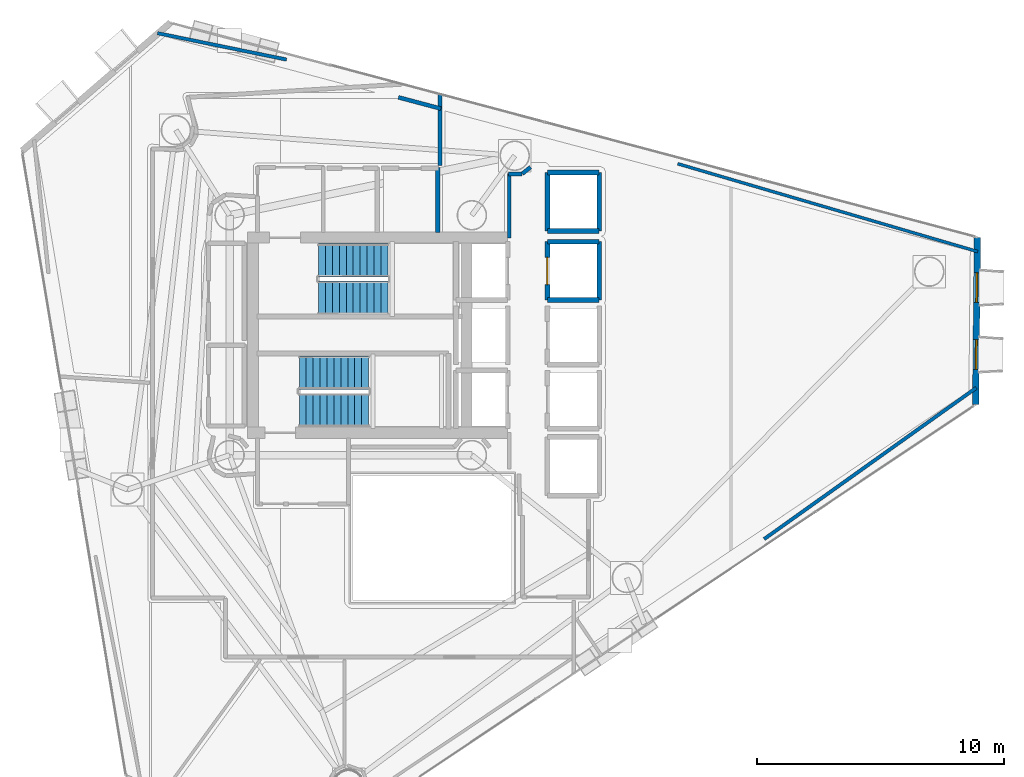
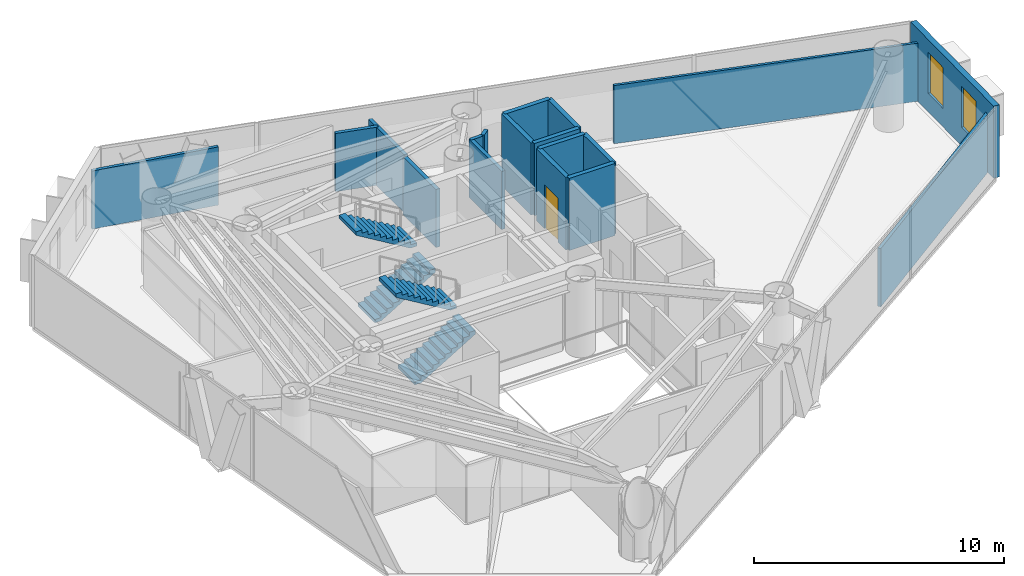
# One storey, part 18 of 21: 18 walls, 4 stair flights, 2 windows, 1 door, 3 openings, 2 elements without a shape of their own.
"""IFC4 building model written with IfcOpenShell, lengths in metres."""

import ifcopenshell
import ifcopenshell.guid

model = None  # the IFC model being written
_history = None  # IfcOwnerHistory: only IFC2X3 demands one
_inside = {}  # id of a spatial element -> (the spatial element, [elements in it])
_under = {}  # id of a project, library or spatial element -> (it, [spatial elements below it])
_declared = {}  # id of a project -> (the project, [libraries it declares])
_typed = {}  # id of a type object -> (the type object, [elements of that type])
_made_of = {}  # id of a material, layer set ... -> (it, [elements and type objects made of it])


def new_model(schema):
    """Start an empty IFC model of exactly this schema.

    Asked for "IFC4X3", IfcOpenShell would pick the latest addendum, in which some entities
    have other attributes; the version numbers below select the first issue.
    IFC2X3 requires an IfcOwnerHistory on every rooted entity: one is made here for all.
    """
    global model, _history
    if schema == "IFC4X3":
        model = ifcopenshell.file(schema_version=(4, 3, 0, 0))
    else:
        model = ifcopenshell.file(schema=schema)
    _inside.clear()
    _under.clear()
    _declared.clear()
    _typed.clear()
    _made_of.clear()
    _history = None
    if model.schema == "IFC2X3":
        org = make("IfcOrganization", Name="unknown")
        user = make(
            "IfcPersonAndOrganization",
            ThePerson=make("IfcPerson", FamilyName="unknown"),
            TheOrganization=org,
        )
        app = make(
            "IfcApplication",
            ApplicationDeveloper=org,
            Version="unknown",
            ApplicationFullName="unknown",
            ApplicationIdentifier="unknown",
        )
        _history = make(
            "IfcOwnerHistory",
            OwningUser=user,
            OwningApplication=app,
            ChangeAction="ADDED",
            CreationDate=0,
        )
    return model


def make(cls, **values):
    """One entity of the class cls with the attributes given. An attribute that is None is left unset."""
    return model.create_entity(
        cls, **{name: value for name, value in values.items() if value is not None}
    )


def rooted(cls, **values):
    """An entity with a GlobalId (a new one), such as an element, a storey or a relation."""
    return make(cls, GlobalId=ifcopenshell.guid.new(), OwnerHistory=_history, **values)


def si_unit(unit_type, name, prefix=None):
    """IfcSIUnit, for example si_unit("LENGTHUNIT", "METRE", prefix="MILLI")."""
    return make("IfcSIUnit", UnitType=unit_type, Prefix=prefix, Name=name)


def assignment(units):
    """IfcUnitAssignment: the units of a project."""
    return None if units is None else make("IfcUnitAssignment", Units=units)


def point(xyz):
    """IfcCartesianPoint."""
    return None if xyz is None else make("IfcCartesianPoint", Coordinates=xyz)


def direction(xyz):
    """IfcDirection."""
    return None if xyz is None else make("IfcDirection", DirectionRatios=xyz)


def frame(location, z_axis=None, x_axis=None):
    """IfcAxis2Placement3D, a coordinate frame: its origin and axes. An axis left out is left unset."""
    return make(
        "IfcAxis2Placement3D",
        Location=point(location),
        Axis=direction(z_axis),
        RefDirection=direction(x_axis),
    )


def frame_2d(location, x_axis=None):
    """IfcAxis2Placement2D, a coordinate frame in the plane: its origin and x axis."""
    return make(
        "IfcAxis2Placement2D", Location=point(location), RefDirection=direction(x_axis)
    )


def origin():
    """The frame at (0, 0, 0) with its axes left unset."""
    return frame((0.0, 0.0, 0.0))


def place(relative_to, where):
    """IfcLocalPlacement: puts the frame where relative to a parent placement (None: the world)."""
    return make(
        "IfcLocalPlacement", PlacementRelTo=relative_to, RelativePlacement=where
    )


def context(
    kind, dimensions, precision=None, world=None, true_north=None, identifier=None
):
    """IfcGeometricRepresentationContext, for example the 3D "Model" context."""
    return make(
        "IfcGeometricRepresentationContext",
        ContextIdentifier=identifier,
        ContextType=kind,
        CoordinateSpaceDimension=dimensions,
        Precision=precision,
        WorldCoordinateSystem=world,
        TrueNorth=true_north,
    )


def subcontext(parent, identifier, kind, view, scale=None):
    """IfcGeometricRepresentationSubContext, for example "Body" below "Model"."""
    return make(
        "IfcGeometricRepresentationSubContext",
        ContextIdentifier=identifier,
        ContextType=kind,
        ParentContext=parent,
        TargetScale=scale,
        TargetView=view,
    )


def project(units=None, contexts=None):
    """IfcProject with its units and contexts."""
    return rooted(
        "IfcProject",
        Name="project",
        RepresentationContexts=contexts,
        UnitsInContext=assignment(units),
    )


def spatial(cls, under=None, at=None, **own):
    """A site, building, storey or space (cls), placed at a placement, below another one or the project."""
    s = rooted(cls, ObjectPlacement=at, **own)
    if under is not None:
        _under.setdefault(under.id(), (under, []))[1].append(s)
    return s


def polyline(points):
    """IfcPolyline through the points."""
    return make("IfcPolyline", Points=[point(p) for p in points])


def profile(cls, at=None, kind="AREA", **sizes):
    """A parametric profile (cls). Its sizes go by their IFC names, for example OverallWidth=200.0."""
    return make(cls, ProfileType=kind, Position=at, **sizes)


def rectangle(**sizes):
    """IfcRectangleProfileDef."""
    return profile("IfcRectangleProfileDef", **sizes)


def outline(outer, holes=None, kind="AREA"):
    """IfcArbitraryClosedProfileDef: a profile drawn as a closed curve; with holes, ...WithVoids."""
    if holes is None:
        return make("IfcArbitraryClosedProfileDef", ProfileType=kind, OuterCurve=outer)
    return make(
        "IfcArbitraryProfileDefWithVoids",
        ProfileType=kind,
        OuterCurve=outer,
        InnerCurves=holes,
    )


def extrude(swept, where, along, depth):
    """IfcExtrudedAreaSolid: the profile swept, set in the frame where, extruded along a direction by depth."""
    return make(
        "IfcExtrudedAreaSolid",
        SweptArea=swept,
        Position=where,
        ExtrudedDirection=direction(along),
        Depth=depth,
    )


def shape(context_of_items, identifier, shape_type, items):
    """IfcShapeRepresentation: the items that make up one representation, for example the "Body"."""
    return make(
        "IfcShapeRepresentation",
        ContextOfItems=context_of_items,
        RepresentationIdentifier=identifier,
        RepresentationType=shape_type,
        Items=items,
    )


def material(Name=None, Category=None):
    """IfcMaterial."""
    return make("IfcMaterial", Name=Name, Category=Category)


def layer(
    of_material, thickness, ventilated=None, Name=None, Category=None, Priority=None
):
    """IfcMaterialLayer: one layer of a wall or slab, of a material (None: an air gap)."""
    return make(
        "IfcMaterialLayer",
        Material=of_material,
        LayerThickness=thickness,
        IsVentilated=ventilated,
        Name=Name,
        Category=Category,
        Priority=Priority,
    )


def layer_set(layers, Name=None):
    """IfcMaterialLayerSet."""
    return make("IfcMaterialLayerSet", MaterialLayers=layers, LayerSetName=Name)


def made_of(thing, what):
    """Note that an element or type object is made of a material, layer set ...; save() writes the relation."""
    if what is not None:
        _made_of.setdefault(what.id(), (what, []))[1].append(thing)
    return thing


def type_object(cls, material=None, **own):
    """A type object (cls), such as IfcWallType, which elements share."""
    return made_of(rooted(cls, **own), material)


def element(
    cls,
    number,
    at=None,
    inside=None,
    cuts=None,
    type_object=None,
    material=None,
    context=None,
    identifier="Body",
    shape_type=None,
    held_by="IfcProductDefinitionShape",
    body=None,
    shapes=None,
    **own,
):
    """One element of the class cls, such as IfcWall. Its Tag is "e" and its number.

    at: its placement. inside: the storey or other place that contains it. cuts: it is an
    opening in that element (IfcRelVoidsElement). A single representation is given by context,
    identifier, shape_type and body (its items); several are given by shapes. held_by: the class
    of the entity that holds the representations. save() writes the other relations.
    """
    e = rooted(cls, Tag="e%d" % number, ObjectPlacement=at, **own)
    if body is not None:
        shapes = [shape(context, identifier, shape_type, body)]
    if shapes is not None:
        e.Representation = make(held_by, Representations=shapes)
    if inside is not None:
        _inside.setdefault(inside.id(), (inside, []))[1].append(e)
    if cuts is not None:
        rooted(
            "IfcRelVoidsElement", RelatingBuildingElement=cuts, RelatedOpeningElement=e
        )
    if type_object is not None:
        _typed.setdefault(type_object.id(), (type_object, []))[1].append(e)
    return made_of(e, material)


def fill(opening, filler):
    """IfcRelFillsElement: the door or window that sits in an opening."""
    return rooted(
        "IfcRelFillsElement",
        RelatingOpeningElement=opening,
        RelatedBuildingElement=filler,
    )


def aggregate(whole, parts):
    """IfcRelAggregates: a whole, such as a stair, and the parts it consists of."""
    return rooted("IfcRelAggregates", RelatingObject=whole, RelatedObjects=parts)


def save(model, path):
    """Write the relations noted so far, then the file.

    IfcRelAggregates (storeys below a building ...), IfcRelContainedInSpatialStructure (elements
    in a storey), IfcRelDefinesByType, IfcRelAssociatesMaterial and IfcRelDeclares: one each for
    every whole, place, type object, material and project.
    """
    for whole, parts in _under.values():
        aggregate(whole, parts)
    for where, things in _inside.values():
        rooted(
            "IfcRelContainedInSpatialStructure",
            RelatedElements=things,
            RelatingStructure=where,
        )
    for kind, things in _typed.values():
        rooted("IfcRelDefinesByType", RelatedObjects=things, RelatingType=kind)
    for what, things in _made_of.values():
        rooted("IfcRelAssociatesMaterial", RelatedObjects=things, RelatingMaterial=what)
    for by, libraries in _declared.values():
        rooted("IfcRelDeclares", RelatingContext=by, RelatedDefinitions=libraries)
    model.write(path)


model = new_model("IFC4")

# Units and contexts
model_context = context("Model", 3, precision=1e-05, world=origin(), true_north=direction((0.0, 1.0)))
body_context = subcontext(model_context, "Body", "Model", "MODEL_VIEW")
ifc_project = project(units=[si_unit("LENGTHUNIT", "METRE"), si_unit("AREAUNIT", "SQUARE_METRE"), si_unit("VOLUMEUNIT", "CUBIC_METRE"), si_unit("PLANEANGLEUNIT", "RADIAN"), si_unit("MASSUNIT", "GRAM", prefix="KILO")], contexts=[model_context])

# Site, building, storey
site_placement = place(None, origin())
site = spatial("IfcSite", under=ifc_project, at=site_placement, CompositionType="ELEMENT")
building_placement = place(site_placement, origin())
building = spatial("IfcBuilding", under=site, at=building_placement, Name="Qianvela Tower", CompositionType="ELEMENT")
storey_placement = place(building_placement, frame((0.0, 0.0, 189.199951171875)))
storey = spatial("IfcBuildingStorey", under=building, at=storey_placement, Name="L48", CompositionType="ELEMENT", Elevation=189.199951171875)

# Wall, openings, windows
ifc_material_1 = material(Name="Terracotta Cladding on Concrete C40", Category="masonry")
ifc_layer_1 = layer(ifc_material_1, 0.260009765625)
ifc_layer_set_1 = layer_set([ifc_layer_1], Name="Terracotta Cladding on Concrete C40")
wall_type_1 = type_object("IfcWallType", Name="TERRACOTTA-WALL-260", PredefinedType="SOLIDWALL", material=ifc_layer_set_1)
wall_1_placement = place(storey_placement, frame((58.77294921875, 25.890869140625, 0.0), z_axis=(0.0, 0.0, 1.0), x_axis=(0.010178875598, 0.999948193904, 0.0)))
wall_1 = element("IfcWall", 1, at=wall_1_placement, inside=storey, type_object=wall_type_1, Name="L48 Terracotta Chamfer Facet Wall 1", PredefinedType="SOLIDWALL", context=body_context, shape_type="SweptSolid", body=[
    extrude(rectangle(XDim=6.763671875, YDim=0.260009765625, at=frame_2d((3.3818359375, 0.0))), origin(), (0.0, 0.0, 1.0), 3.52001953125),
])
opening_1_placement = place(wall_1_placement, frame((1.42919921875, 0.0, 0.89990234375)))
opening_1 = element("IfcOpeningElement", 2, at=opening_1_placement, cuts=wall_1, Name="Opening W-03", PredefinedType="OPENING", context=body_context, shape_type="SweptSolid", body=[
    extrude(rectangle(XDim=1.199951171875, YDim=2.0, at=frame_2d((0.60009765625, 1.0))), frame((0.0, 0.139892578125, 0.0), z_axis=(0.0, -1.0, 0.0), x_axis=(1.0, 0.0, 0.0)), (0.0, 0.0, 1.0), 0.280029296875),
])
opening_2_placement = place(wall_1_placement, frame((4.134521484375, 0.0, 0.89990234375)))
opening_2 = element("IfcOpeningElement", 3, at=opening_2_placement, cuts=wall_1, Name="Opening W-03", PredefinedType="OPENING", context=body_context, shape_type="SweptSolid", body=[
    extrude(rectangle(XDim=1.199951171875, YDim=2.0, at=frame_2d((0.60009765625, 1.0))), frame((0.0, 0.139892578125, 0.0), z_axis=(0.0, -1.0, 0.0), x_axis=(1.0, 0.0, 0.0)), (0.0, 0.0, 1.0), 0.280029296875),
])
ifc_material_2 = material(Name="Thermally Broken Aluminium and Low-E Glass", Category="aluminium")
window_type = type_object("IfcWindowType", Name="WIN-TC-1200x2000", PartitioningType="SINGLE_PANEL", PredefinedType="WINDOW", material=ifc_material_2)
window_1_placement = place(opening_1_placement, origin())
window_1 = element("IfcWindow", 4, at=window_1_placement, inside=storey, type_object=window_type, Name="L48 Chamfer Facet Window 1.1", OverallHeight=2.0, OverallWidth=1.199951171875, PartitioningType="SINGLE_PANEL", PredefinedType="WINDOW", context=body_context, shape_type="SweptSolid", body=[
    extrude(rectangle(XDim=1.199951171875, YDim=2.0, at=frame_2d((0.60009765625, 1.0))), frame((0.0, 0.030029296875, 0.0), z_axis=(0.0, -1.0, 0.0), x_axis=(1.0, 0.0, 0.0)), (0.0, 0.0, 1.0), 0.06005859375),
])
fill(opening_1, window_1)
window_2_placement = place(opening_2_placement, origin())
window_2 = element("IfcWindow", 5, at=window_2_placement, inside=storey, type_object=window_type, Name="L48 Chamfer Facet Window 1.2", OverallHeight=2.0, OverallWidth=1.199951171875, PartitioningType="SINGLE_PANEL", PredefinedType="WINDOW", context=body_context, shape_type="SweptSolid", body=[
    extrude(rectangle(XDim=1.199951171875, YDim=2.0, at=frame_2d((0.60009765625, 1.0))), frame((0.0, 0.030029296875, 0.0), z_axis=(0.0, -1.0, 0.0), x_axis=(1.0, 0.0, 0.0)), (0.0, 0.0, 1.0), 0.06005859375),
])
fill(opening_2, window_2)

# Walls
ifc_material_3 = material(Name="Fire-Rated Gypsum and Concrete Block", Category="concrete")
ifc_layer_2 = layer(ifc_material_3, 0.159912109375)
ifc_layer_set_2 = layer_set([ifc_layer_2], Name="Fire-Rated Gypsum and Concrete Block")
wall_type_2 = type_object("IfcWallType", Name="WT-CORR-160", PredefinedType="PARTITIONING", material=ifc_layer_set_2)
wall_2_placement = place(storey_placement, frame((39.910888671875, 32.639892578125, 0.0), z_axis=(0.0, 0.0, 1.0), x_axis=(0.0, 1.0, 0.0)))
element("IfcWall", 6, at=wall_2_placement, inside=storey, type_object=wall_type_2, Name="L48 Partition 12", PredefinedType="PARTITIONING", context=body_context, shape_type="SweptSolid", body=[
    extrude(rectangle(XDim=2.60400390625, YDim=0.159912109375, at=frame_2d((1.302001953125, 0.0))), origin(), (0.0, 0.0, 1.0), 2.840087890625),
])
wall_3_placement = place(storey_placement, frame((39.880615234375, 35.212890625, 0.0), z_axis=(0.0, 0.0, 1.0), x_axis=(0.999756500784, 0.02206669754, 0.0)))
element("IfcWall", 7, at=wall_3_placement, inside=storey, type_object=wall_type_2, Name="L48 Partition 13", PredefinedType="PARTITIONING", context=body_context, shape_type="SweptSolid", body=[
    extrude(rectangle(XDim=0.542236328125, YDim=0.159912109375, at=frame_2d((0.27099609375, 0.0))), origin(), (0.0, 0.0, 1.0), 2.840087890625),
])
wall_4_placement = place(storey_placement, frame((40.44140625, 35.231689453125, 0.0), z_axis=(0.0, 0.0, 1.0), x_axis=(0.778714564707, 0.627378376033, 0.0)))
element("IfcWall", 8, at=wall_4_placement, inside=storey, type_object=wall_type_2, Name="L48 Partition 14", PredefinedType="PARTITIONING", context=body_context, shape_type="SweptSolid", body=[
    extrude(rectangle(XDim=0.421142578125, YDim=0.159912109375, at=frame_2d((0.21044921875, 0.0))), origin(), (0.0, 0.0, 1.0), 2.840087890625),
])
wall_5_placement = place(storey_placement, frame((35.4267578125, 38.320068359375, 0.0), z_axis=(0.0, 0.0, 1.0), x_axis=(0.966323909007, -0.257328783625, 0.0)))
element("IfcWall", 9, at=wall_5_placement, inside=storey, type_object=wall_type_2, Name="L48 Partition 56", PredefinedType="PARTITIONING", context=body_context, shape_type="SweptSolid", body=[
    extrude(rectangle(XDim=1.775146484375, YDim=0.159912109375, at=frame_2d((0.8876953125, 0.0))), origin(), (0.0, 0.0, 1.0), 2.840087890625),
])
wall_6_placement = place(storey_placement, frame((37.118896484375, 38.459716796875, 0.0), z_axis=(0.0, 0.0, 1.0), x_axis=(0.0, -1.0, 0.0)))
element("IfcWall", 10, at=wall_6_placement, inside=storey, type_object=wall_type_2, Name="L48 Partition 57 seg 1", PredefinedType="PARTITIONING", context=body_context, shape_type="SweptSolid", body=[
    extrude(rectangle(XDim=2.899658203125, YDim=0.159912109375, at=frame_2d((1.44970703125, 0.0))), origin(), (0.0, 0.0, 1.0), 2.840087890625),
])
ifc_material_4 = material(Name="Insulated Gypsum Stud Partition")
ifc_layer_3 = layer(ifc_material_4, 0.1201171875)
ifc_layer_set_3 = layer_set([ifc_layer_3], Name="Insulated Gypsum Stud Partition")
wall_type_3 = type_object("IfcWallType", Name="WT-PART-120", PredefinedType="PARTITIONING", material=ifc_layer_set_3)
wall_7_placement = place(storey_placement, frame((46.724609375, 35.633056640625, 0.0), z_axis=(0.0, 0.0, 1.0), x_axis=(0.959693325755, -0.281049320407, 0.0)))
element("IfcWall", 11, at=wall_7_placement, inside=storey, type_object=wall_type_3, Name="L48 Partition 114 seg 1", PredefinedType="PARTITIONING", context=body_context, shape_type="SweptSolid", body=[
    extrude(rectangle(XDim=12.64013671875, YDim=0.1201171875, at=frame_2d((6.320068359375, 0.0))), origin(), (0.0, 0.0, 1.0), 2.840087890625),
])
ifc_material_5 = material(Name="Moisture-Resistant Acoustic Plumbing Wall")
ifc_layer_4 = layer(ifc_material_5, 0.175048828125)
ifc_layer_set_4 = layer_set([ifc_layer_4], Name="Moisture-Resistant Acoustic Plumbing Wall")
wall_type_4 = type_object("IfcWallType", Name="WT-PLUMB-175", PredefinedType="PLUMBINGWALL", material=ifc_layer_set_4)
wall_8_placement = place(storey_placement, frame((37.01904296875, 35.47998046875, 0.0), z_axis=(0.0, 0.0, 1.0), x_axis=(0.0, -1.0, 0.0)))
element("IfcWall", 12, at=wall_8_placement, inside=storey, type_object=wall_type_4, Name="L48 Partition 27", PredefinedType="PLUMBINGWALL", context=body_context, shape_type="SweptSolid", body=[
    extrude(rectangle(XDim=2.6220703125, YDim=0.175048828125, at=frame_2d((1.31103515625, 0.0))), origin(), (0.0, 0.0, 1.0), 2.840087890625),
])
ifc_material_6 = material(Name="Acoustic Double Gypsum Stud Partition")
ifc_layer_5 = layer(ifc_material_6, 0.139892578125)
ifc_layer_set_5 = layer_set([ifc_layer_5], Name="Acoustic Double Gypsum Stud Partition")
wall_type_5 = type_object("IfcWallType", Name="WT-ROOM-140", PredefinedType="PARTITIONING", material=ifc_layer_set_5)
wall_9_placement = place(storey_placement, frame((58.79638671875, 26.569580078125, 0.0), z_axis=(0.0, 0.0, 1.0), x_axis=(-0.814264077069, -0.580494627706, 0.0)))
element("IfcWall", 13, at=wall_9_placement, inside=storey, type_object=wall_type_5, Name="L48 Partition 116 seg 1", PredefinedType="PARTITIONING", context=body_context, shape_type="SweptSolid", body=[
    extrude(rectangle(XDim=10.532470703125, YDim=0.139892578125, at=frame_2d((5.26611328125, 0.0))), origin(), (0.0, 0.0, 1.0), 2.840087890625),
])
wall_10_placement = place(storey_placement, frame((25.686279296875, 40.914306640625, 0.0), z_axis=(0.0, 0.0, 1.0), x_axis=(0.979692625984, -0.200505258269, 0.0)))
element("IfcWall", 14, at=wall_10_placement, inside=storey, type_object=wall_type_5, Name="L48 Partition 122 seg 1", PredefinedType="PARTITIONING", context=body_context, shape_type="SweptSolid", body=[
    extrude(rectangle(XDim=5.32470703125, YDim=0.139892578125, at=frame_2d((2.662353515625, 0.0))), origin(), (0.0, 0.0, 1.0), 2.840087890625),
])
ifc_material_7 = material(Name="Concrete C50", Category="concrete")
ifc_layer_6 = layer(ifc_material_7, 0.199951171875)
ifc_layer_set_6 = layer_set([ifc_layer_6], Name="Concrete C50")
wall_type_6 = type_object("IfcWallType", Name="WT-SHAFT-200", PredefinedType="SOLIDWALL", material=ifc_layer_set_6)
wall_11_placement = place(storey_placement, frame((43.550048828125, 30.1201171875, 0.0), z_axis=(0.0, 0.0, 1.0), x_axis=(0.0, 1.0, 0.0)))
element("IfcWall", 15, at=wall_11_placement, inside=storey, type_object=wall_type_6, Name="L48 Lift PL-M1 E Shaft Wall", PredefinedType="SOLIDWALL", context=body_context, shape_type="SweptSolid", body=[
    extrude(rectangle(XDim=2.35986328125, YDim=0.199951171875, at=frame_2d((1.179931640625, 0.0))), origin(), (0.0, 0.0, 1.0), 3.52001953125),
])

# Wall, opening, door
wall_12_placement = place(storey_placement, frame((41.449951171875, 30.1201171875, 0.0), z_axis=(0.0, 0.0, 1.0), x_axis=(0.0, 1.0, 0.0)))
wall_12 = element("IfcWall", 16, at=wall_12_placement, inside=storey, type_object=wall_type_6, Name="L48 Lift PL-M1 W Shaft Wall", PredefinedType="SOLIDWALL", context=body_context, shape_type="SweptSolid", body=[
    extrude(rectangle(XDim=2.35986328125, YDim=0.199951171875, at=frame_2d((1.179931640625, 0.0))), origin(), (0.0, 0.0, 1.0), 3.52001953125),
])
opening_3_placement = place(wall_12_placement, frame((0.6298828125, 0.0, 0.0)))
opening_3 = element("IfcOpeningElement", 17, at=opening_3_placement, cuts=wall_12, Name="Opening LD-01", PredefinedType="OPENING", context=body_context, shape_type="SweptSolid", body=[
    extrude(rectangle(XDim=1.10009765625, YDim=2.14990234375, at=frame_2d((0.550048828125, 1.074951171875))), frame((0.0, 0.10986328125, 0.0), z_axis=(0.0, -1.0, 0.0), x_axis=(1.0, 0.0, 0.0)), (0.0, 0.0, 1.0), 0.219970703125),
])
ifc_material_8 = material(Name="Brushed Stainless Steel Lift Landing Door", Category="steel")
door_type = type_object("IfcDoorType", Name="DT-LIFT-SLIDE-1100", OperationType="SLIDING_TO_LEFT", PredefinedType="DOOR", material=ifc_material_8)
door_placement = place(opening_3_placement, origin())
door = element("IfcDoor", 18, at=door_placement, inside=storey, type_object=door_type, Name="L48 Lift PL-M1 Sliding Landing Door", OperationType="SLIDING_TO_LEFT", OverallHeight=2.14990234375, OverallWidth=1.10009765625, PredefinedType="DOOR", context=body_context, shape_type="SweptSolid", body=[
    extrude(rectangle(XDim=1.10009765625, YDim=2.14990234375, at=frame_2d((0.550048828125, 1.074951171875))), frame((0.0, 0.02490234375, 0.0), z_axis=(0.0, -1.0, 0.0), x_axis=(1.0, 0.0, 0.0)), (0.0, 0.0, 1.0), 0.050048828125),
])
fill(opening_3, door)

# Walls
for number, where, z_axis, x_axis, name in (
    (19, (41.449951171875, 32.47998046875, 0.0), (0.0, 0.0, 1.0), (1.0, 0.0, 0.0), "L48 Lift PL-M1 N Shaft Wall"),
    (20, (41.449951171875, 30.1201171875, 0.0), (0.0, 0.0, 1.0), (1.0, 0.0, 0.0), "L48 Lift PL-M1 S Shaft Wall"),
):
    element("IfcWall", number, at=place(storey_placement, frame(where, z_axis=z_axis, x_axis=x_axis)), inside=storey, type_object=wall_type_6, Name=name, PredefinedType="SOLIDWALL", context=body_context, shape_type="SweptSolid", body=[
        extrude(rectangle(XDim=2.10009765625, YDim=0.199951171875, at=frame_2d((1.050048828125, 0.0))), origin(), (0.0, 0.0, 1.0), 3.52001953125),
    ])
for number, where, z_axis, x_axis, name in (
    (21, (43.550048828125, 32.919921875, 0.0), (0.0, 0.0, 1.0), (0.0, 1.0, 0.0), "L48 Lift PL-H3 E Shaft Wall"),
    (22, (41.449951171875, 32.919921875, 0.0), (0.0, 0.0, 1.0), (0.0, 1.0, 0.0), "L48 Lift PL-H3 W Shaft Wall"),
):
    element("IfcWall", number, at=place(storey_placement, frame(where, z_axis=z_axis, x_axis=x_axis)), inside=storey, type_object=wall_type_6, Name=name, PredefinedType="SOLIDWALL", context=body_context, shape_type="SweptSolid", body=[
        extrude(rectangle(XDim=2.360107421875, YDim=0.199951171875, at=frame_2d((1.18017578125, 0.0))), origin(), (0.0, 0.0, 1.0), 3.52001953125),
    ])
for number, where, z_axis, x_axis, name in (
    (23, (41.449951171875, 35.280029296875, 0.0), (0.0, 0.0, 1.0), (1.0, 0.0, 0.0), "L48 Lift PL-H3 N Shaft Wall"),
    (24, (41.449951171875, 32.919921875, 0.0), (0.0, 0.0, 1.0), (1.0, 0.0, 0.0), "L48 Lift PL-H3 S Shaft Wall"),
):
    element("IfcWall", number, at=place(storey_placement, frame(where, z_axis=z_axis, x_axis=x_axis)), inside=storey, type_object=wall_type_6, Name=name, PredefinedType="SOLIDWALL", context=body_context, shape_type="SweptSolid", body=[
        extrude(rectangle(XDim=2.10009765625, YDim=0.199951171875, at=frame_2d((1.050048828125, 0.0))), origin(), (0.0, 0.0, 1.0), 3.52001953125),
    ])

# Stair, stair flights
ifc_material_9 = material(Name="Concrete C40", Category="concrete")
stair_type = type_object("IfcStairType", Name="ST-DOGLEG-1350-R168-N22", PredefinedType="HALF_TURN_STAIR", material=ifc_material_9)
stair_1_placement = place(storey_placement, origin())
stair_1 = element("IfcStair", 25, at=stair_1_placement, inside=storey, type_object=stair_type, Name="L48 Smoke-Proof Core Stair ST-1", PredefinedType="HALF_TURN_STAIR")
ifc_material_10 = material(Name="Concrete C40", Category="concrete")
stair_flight_type = type_object("IfcStairFlightType", Name="STF-STRAIGHT-R168-P11", PredefinedType="STRAIGHT", material=ifc_material_10)
stair_flight_1_placement = place(storey_placement, frame((32.199951171875, 30.215087890625, 0.0), z_axis=(0.0, 0.0, 1.0), x_axis=(1.0, 0.0, 0.0)))
stair_flight_1 = element("IfcStairFlight", 26, at=stair_flight_1_placement, type_object=stair_flight_type, Name="ST-1 flight 1", NumberOfRisers=11, NumberOfTreads=10, PredefinedType="STRAIGHT", RiserHeight=0.168181818, TreadLength=0.28, context=body_context, shape_type="SweptSolid", body=[
    extrude(outline(polyline([(0.0, 0.0), (0.0, 0.168212890625), (0.280029296875, 0.168212890625), (0.280029296875, 0.33642578125), (0.56005859375, 0.33642578125), (0.56005859375, 0.504638671875), (0.840087890625, 0.504638671875), (0.840087890625, 0.672607421875), (1.1201171875, 0.672607421875), (1.1201171875, 0.8408203125), (1.39990234375, 0.8408203125), (1.39990234375, 1.009033203125), (1.679931640625, 1.009033203125), (1.679931640625, 1.17724609375), (1.9599609375, 1.17724609375), (1.9599609375, 1.345458984375), (2.239990234375, 1.345458984375), (2.239990234375, 1.513671875), (2.52001953125, 1.513671875), (2.52001953125, 1.681884765625), (2.800048828125, 1.681884765625), (2.800048828125, 1.85009765625), (2.800048828125, 1.5068359375), (0.291015625, 0.0), (0.0, 0.0)])), frame((0.0, 0.675048828125, 0.0), z_axis=(0.0, -1.0, 0.0), x_axis=(1.0, 0.0, 0.0)), (0.0, 0.0, 1.0), 1.35009765625),
])
stair_flight_2_placement = place(storey_placement, frame((35.0, 31.72509765625, 1.85009765625), z_axis=(0.0, 0.0, 1.0), x_axis=(-1.0, 0.0, 0.0)))
stair_flight_2 = element("IfcStairFlight", 27, at=stair_flight_2_placement, type_object=stair_flight_type, Name="ST-1 flight 2", NumberOfRisers=11, NumberOfTreads=10, PredefinedType="STRAIGHT", RiserHeight=0.168181818, TreadLength=0.28, context=body_context, shape_type="SweptSolid", body=[
    extrude(outline(polyline([(0.0, 0.0), (0.0, 0.168212890625), (0.280029296875, 0.168212890625), (0.280029296875, 0.33642578125), (0.56005859375, 0.33642578125), (0.56005859375, 0.504638671875), (0.840087890625, 0.504638671875), (0.840087890625, 0.672607421875), (1.1201171875, 0.672607421875), (1.1201171875, 0.8408203125), (1.39990234375, 0.8408203125), (1.39990234375, 1.009033203125), (1.679931640625, 1.009033203125), (1.679931640625, 1.17724609375), (1.9599609375, 1.17724609375), (1.9599609375, 1.345458984375), (2.239990234375, 1.345458984375), (2.239990234375, 1.513671875), (2.52001953125, 1.513671875), (2.52001953125, 1.681884765625), (2.800048828125, 1.681884765625), (2.800048828125, 1.85009765625), (2.800048828125, 1.5068359375), (0.291015625, 0.0), (0.0, 0.0)])), frame((0.0, 0.675048828125, 0.0), z_axis=(0.0, -1.0, 0.0), x_axis=(1.0, 0.0, 0.0)), (0.0, 0.0, 1.0), 1.35009765625),
])
aggregate(stair_1, [stair_flight_1, stair_flight_2])

stair_2_placement = place(storey_placement, origin())
stair_2 = element("IfcStair", 28, at=stair_2_placement, inside=storey, type_object=stair_type, Name="L48 Smoke-Proof Core Stair ST-2", PredefinedType="HALF_TURN_STAIR")
stair_flight_3_placement = place(storey_placement, frame((31.419921875, 25.675048828125, 0.0), z_axis=(0.0, 0.0, 1.0), x_axis=(1.0, 0.0, 0.0)))
stair_flight_3 = element("IfcStairFlight", 29, at=stair_flight_3_placement, type_object=stair_flight_type, Name="ST-2 flight 1", NumberOfRisers=11, NumberOfTreads=10, PredefinedType="STRAIGHT", RiserHeight=0.168181818, TreadLength=0.28, context=body_context, shape_type="SweptSolid", body=[
    extrude(outline(polyline([(0.0, 0.0), (0.0, 0.168212890625), (0.280029296875, 0.168212890625), (0.280029296875, 0.33642578125), (0.56005859375, 0.33642578125), (0.56005859375, 0.504638671875), (0.840087890625, 0.504638671875), (0.840087890625, 0.672607421875), (1.1201171875, 0.672607421875), (1.1201171875, 0.8408203125), (1.39990234375, 0.8408203125), (1.39990234375, 1.009033203125), (1.679931640625, 1.009033203125), (1.679931640625, 1.17724609375), (1.9599609375, 1.17724609375), (1.9599609375, 1.345458984375), (2.239990234375, 1.345458984375), (2.239990234375, 1.513671875), (2.52001953125, 1.513671875), (2.52001953125, 1.681884765625), (2.800048828125, 1.681884765625), (2.800048828125, 1.85009765625), (2.800048828125, 1.5068359375), (0.291015625, 0.0), (0.0, 0.0)])), frame((0.0, 0.675048828125, 0.0), z_axis=(0.0, -1.0, 0.0), x_axis=(1.0, 0.0, 0.0)), (0.0, 0.0, 1.0), 1.35009765625),
])
stair_flight_4_placement = place(storey_placement, frame((34.219970703125, 27.18505859375, 1.85009765625), z_axis=(0.0, 0.0, 1.0), x_axis=(-1.0, 0.0, 0.0)))
stair_flight_4 = element("IfcStairFlight", 30, at=stair_flight_4_placement, type_object=stair_flight_type, Name="ST-2 flight 2", NumberOfRisers=11, NumberOfTreads=10, PredefinedType="STRAIGHT", RiserHeight=0.168181818, TreadLength=0.28, context=body_context, shape_type="SweptSolid", body=[
    extrude(outline(polyline([(0.0, 0.0), (0.0, 0.168212890625), (0.280029296875, 0.168212890625), (0.280029296875, 0.33642578125), (0.56005859375, 0.33642578125), (0.56005859375, 0.504638671875), (0.840087890625, 0.504638671875), (0.840087890625, 0.672607421875), (1.1201171875, 0.672607421875), (1.1201171875, 0.8408203125), (1.39990234375, 0.8408203125), (1.39990234375, 1.009033203125), (1.679931640625, 1.009033203125), (1.679931640625, 1.17724609375), (1.9599609375, 1.17724609375), (1.9599609375, 1.345458984375), (2.239990234375, 1.345458984375), (2.239990234375, 1.513671875), (2.52001953125, 1.513671875), (2.52001953125, 1.681884765625), (2.800048828125, 1.681884765625), (2.800048828125, 1.85009765625), (2.800048828125, 1.5068359375), (0.291015625, 0.0), (0.0, 0.0)])), frame((0.0, 0.675048828125, 0.0), z_axis=(0.0, -1.0, 0.0), x_axis=(1.0, 0.0, 0.0)), (0.0, 0.0, 1.0), 1.35009765625),
])
aggregate(stair_2, [stair_flight_3, stair_flight_4])

save(model, "model.ifc")
